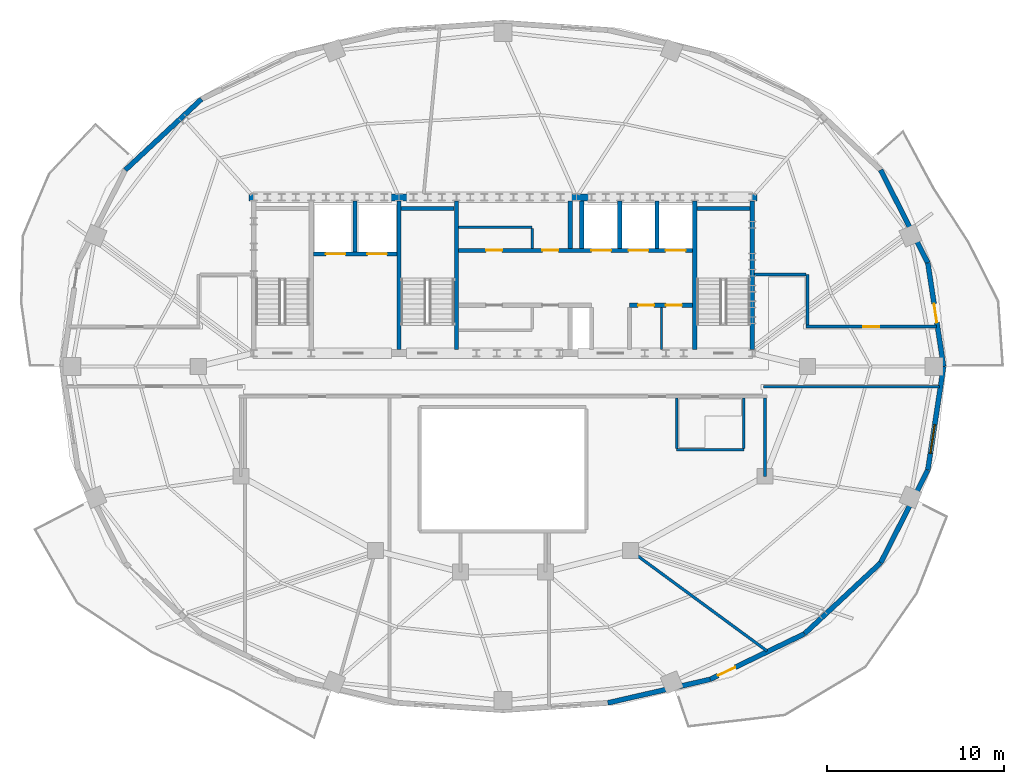
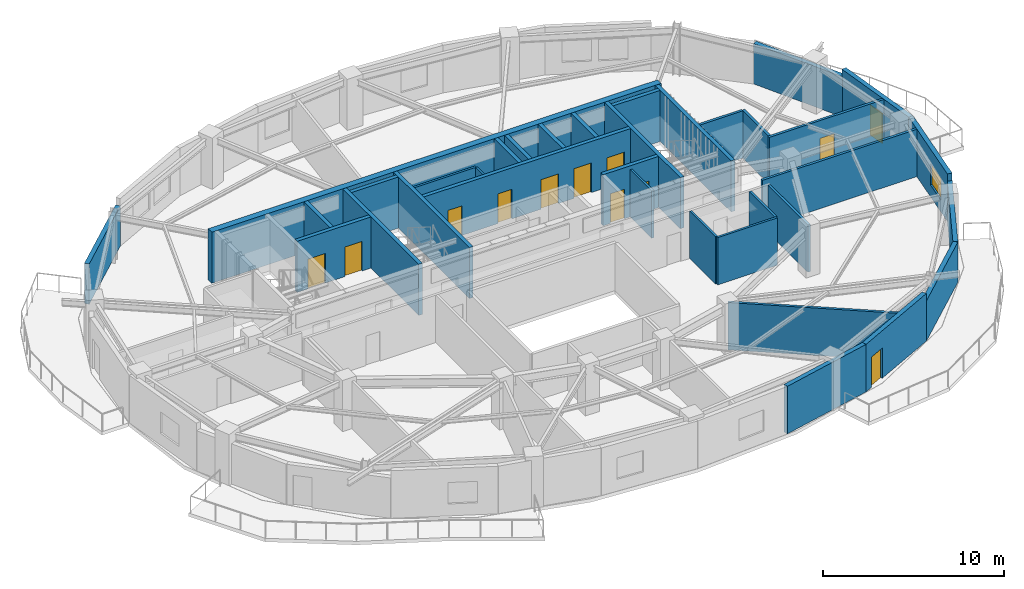
# One storey, part 5 of 10: 35 walls, 12 doors, 1 window, 13 openings.
"""IFC4 building model written with IfcOpenShell, lengths in metres."""

from ifc_helpers import new_model, si_unit, direction, frame, frame_2d, origin, place, context, subcontext, project, spatial, rectangle, extrude, material, layer, layer_set, type_object, element, fill, save


model = new_model("IFC4")

# Units and contexts
model_context = context("Model", 3, precision=1e-05, world=origin(), true_north=direction((0.0, 1.0)))
body_context = subcontext(model_context, "Body", "Model", "MODEL_VIEW")
ifc_project = project(units=[si_unit("LENGTHUNIT", "METRE"), si_unit("AREAUNIT", "SQUARE_METRE"), si_unit("VOLUMEUNIT", "CUBIC_METRE"), si_unit("PLANEANGLEUNIT", "RADIAN"), si_unit("MASSUNIT", "GRAM", prefix="KILO")], contexts=[model_context])

# Site, building, storey
site_placement = place(None, origin())
site = spatial("IfcSite", under=ifc_project, at=site_placement, CompositionType="ELEMENT")
building_placement = place(site_placement, origin())
building = spatial("IfcBuilding", under=site, at=building_placement, Name="Haldorwick Loom Tower", CompositionType="ELEMENT")
storey_placement = place(building_placement, frame((0.0, 0.0, 262.64990234375)))
storey = spatial("IfcBuildingStorey", under=building, at=storey_placement, Name="L71", CompositionType="ELEMENT", Elevation=262.64990234375)

# Wall, opening, door
ifc_material_1 = material(Name="Pressed Clay Face Brick and Insulated Masonry Backup Assembly", Category="masonry")
ifc_layer_1 = layer(ifc_material_1, 0.280029296875, Name="Pressed Clay Face Brick and Insulated Masonry Backup Assembly", Category="masonry")
ifc_layer_set_1 = layer_set([ifc_layer_1], Name="Pressed Clay Face Brick and Insulated Masonry Backup Assembly")
wall_type_1 = type_object("IfcWallType", Name="ARC-WL-EXT280", PredefinedType="STANDARD", material=ifc_layer_set_1)
wall_1_placement = place(storey_placement, frame((60.876708984375, 26.0, 0.0), z_axis=(0.0, 0.0, 1.0), x_axis=(-0.150497234153, 0.988610430105, 0.0)))
wall_1 = element("IfcWall", 1, at=wall_1_placement, inside=storey, type_object=wall_type_1, Name="L71 Brick Pier and Spandrel Wall 1", PredefinedType="STANDARD", context=body_context, shape_type="SweptSolid", body=[
    extrude(rectangle(XDim=5.916259765625, YDim=0.280029296875, at=frame_2d((2.9580078125, 0.0))), origin(), (0.0, 0.0, 1.0), 3.210205078125),
])
opening_1_placement = place(wall_1_placement, frame((2.508544921875, 0.0, 0.0)))
opening_1 = element("IfcOpeningElement", 2, at=opening_1_placement, cuts=wall_1, Name="Opening D-BL11", PredefinedType="OPENING", context=body_context, shape_type="SweptSolid", body=[
    extrude(rectangle(XDim=1.080078125, YDim=2.0400390625, at=frame_2d((0.5400390625, 1.02001953125))), frame((0.0, 0.14990234375, 0.0), z_axis=(0.0, -1.0, 0.0), x_axis=(1.0, 0.0, 0.0)), (0.0, 0.0, 1.0), 0.300048828125),
])
ifc_material_2 = material(Name="Thermally Broken Anodized Aluminium Curtain Wall Framing", Category="aluminium")
door_type_1 = type_object("IfcDoorType", Name="ARC-DR-BAL110", OperationType="NOTDEFINED", PredefinedType="DOOR", material=ifc_material_2)
door_1_placement = place(opening_1_placement, origin())
door_1 = element("IfcDoor", 3, at=door_1_placement, inside=storey, type_object=door_type_1, Name="L71 Outdoor Terrace Door SLB-L71-BAL_ENE", OperationType="SINGLE_SWING_RIGHT", OverallHeight=2.0400390625, OverallWidth=1.080078125, PredefinedType="DOOR", context=body_context, shape_type="SweptSolid", body=[
    extrude(rectangle(XDim=1.080078125, YDim=2.0400390625, at=frame_2d((0.5400390625, 1.02001953125))), frame((0.0, 0.02490234375, 0.0), z_axis=(0.0, -1.0, 0.0), x_axis=(1.0, 0.0, 0.0)), (0.0, 0.0, 1.0), 0.050048828125),
])
fill(opening_1, door_1)

# Walls
wall_2_placement = place(storey_placement, frame((59.986328125, 31.848876953125, 0.0), z_axis=(0.0, 0.0, 1.0), x_axis=(-0.453100705059, 0.89145933787, 0.0)))
element("IfcWall", 4, at=wall_2_placement, inside=storey, type_object=wall_type_1, Name="L71 Brick Pier and Spandrel Wall 2", PredefinedType="STANDARD", context=body_context, shape_type="SweptSolid", body=[
    extrude(rectangle(XDim=5.879150390625, YDim=0.280029296875, at=frame_2d((2.939453125, 0.0))), origin(), (0.0, 0.0, 1.0), 2.718994140625),
])
wall_3_placement = place(storey_placement, frame((18.98046875, 41.095703125, 0.0), z_axis=(0.0, 0.0, 1.0), x_axis=(-0.731924682982, -0.68138554317, 0.0)))
element("IfcWall", 5, at=wall_3_placement, inside=storey, type_object=wall_type_1, Name="L71 Brick Pier and Spandrel Wall 10", PredefinedType="STANDARD", context=body_context, shape_type="SweptSolid", body=[
    extrude(rectangle(XDim=5.87890625, YDim=0.280029296875, at=frame_2d((2.939453125, 0.0))), origin(), (0.0, 0.0, 1.0), 2.718994140625),
])
wall_4_placement = place(storey_placement, frame((41.91943359375, 7.006103515625, 0.0), z_axis=(0.0, 0.0, 1.0), x_axis=(0.974589984037, 0.223996345987, 0.0)))
element("IfcWall", 6, at=wall_4_placement, inside=storey, type_object=wall_type_1, Name="L71 Brick Pier and Spandrel Wall 20", PredefinedType="STANDARD", context=body_context, shape_type="SweptSolid", body=[
    extrude(rectangle(XDim=5.92919921875, YDim=0.280029296875, at=frame_2d((2.964599609375, 0.0))), origin(), (0.0, 0.0, 1.0), 3.210205078125),
])

# Wall, opening, door
wall_5_placement = place(storey_placement, frame((47.697998046875, 8.334228515625, 0.0), z_axis=(0.0, 0.0, 1.0), x_axis=(0.900481907967, 0.434893473651, 0.0)))
wall_5 = element("IfcWall", 7, at=wall_5_placement, inside=storey, type_object=wall_type_1, Name="L71 Brick Pier and Spandrel Wall 21", PredefinedType="STANDARD", context=body_context, shape_type="SweptSolid", body=[
    extrude(rectangle(XDim=5.90966796875, YDim=0.280029296875, at=frame_2d((2.954833984375, 0.0))), origin(), (0.0, 0.0, 1.0), 3.210205078125),
])
opening_2_placement = place(wall_5_placement, frame((0.495849609375, 0.0, 0.0)))
opening_2 = element("IfcOpeningElement", 8, at=opening_2_placement, cuts=wall_5, Name="Opening D-BL11", PredefinedType="OPENING", context=body_context, shape_type="SweptSolid", body=[
    extrude(rectangle(XDim=1.080078125, YDim=2.0400390625, at=frame_2d((0.5400390625, 1.02001953125))), frame((0.0, 0.14990234375, 0.0), z_axis=(0.0, -1.0, 0.0), x_axis=(1.0, 0.0, 0.0)), (0.0, 0.0, 1.0), 0.300048828125),
])
door_2_placement = place(opening_2_placement, origin())
door_2 = element("IfcDoor", 9, at=door_2_placement, inside=storey, type_object=door_type_1, Name="L71 Outdoor Terrace Door SLB-L71-BAL_SE", OperationType="SINGLE_SWING_RIGHT", OverallHeight=2.0400390625, OverallWidth=1.080078125, PredefinedType="DOOR", context=body_context, shape_type="SweptSolid", body=[
    extrude(rectangle(XDim=1.080078125, YDim=2.0400390625, at=frame_2d((0.5400390625, 1.02001953125))), frame((0.0, 0.02490234375, 0.0), z_axis=(0.0, -1.0, 0.0), x_axis=(1.0, 0.0, 0.0)), (0.0, 0.0, 1.0), 0.050048828125),
])
fill(opening_2, door_2)

# Walls
wall_6_placement = place(storey_placement, frame((53.01953125, 10.904296875, 0.0), z_axis=(0.0, 0.0, 1.0), x_axis=(0.731924682982, 0.68138554317, 0.0)))
element("IfcWall", 10, at=wall_6_placement, inside=storey, type_object=wall_type_1, Name="L71 Brick Pier and Spandrel Wall 22", PredefinedType="STANDARD", context=body_context, shape_type="SweptSolid", body=[
    extrude(rectangle(XDim=5.87890625, YDim=0.280029296875, at=frame_2d((2.939453125, 0.0))), origin(), (0.0, 0.0, 1.0), 2.718994140625),
])
wall_7_placement = place(storey_placement, frame((57.322509765625, 14.91015625, 0.0), z_axis=(0.0, 0.0, 1.0), x_axis=(0.453100705059, 0.89145933787, 0.0)))
element("IfcWall", 11, at=wall_7_placement, inside=storey, type_object=wall_type_1, Name="L71 Brick Pier and Spandrel Wall 23", PredefinedType="STANDARD", context=body_context, shape_type="SweptSolid", body=[
    extrude(rectangle(XDim=5.879150390625, YDim=0.280029296875, at=frame_2d((2.939453125, 0.0))), origin(), (0.0, 0.0, 1.0), 2.718994140625),
])

# Wall, opening, window
wall_8_placement = place(storey_placement, frame((59.986328125, 20.151123046875, 0.0), z_axis=(0.0, 0.0, 1.0), x_axis=(0.150497234153, 0.988610430105, 0.0)))
wall_8 = element("IfcWall", 12, at=wall_8_placement, inside=storey, type_object=wall_type_1, Name="L71 Brick Pier and Spandrel Wall 24", PredefinedType="STANDARD", context=body_context, shape_type="SweptSolid", body=[
    extrude(rectangle(XDim=5.916259765625, YDim=0.280029296875, at=frame_2d((2.9580078125, 0.0))), origin(), (0.0, 0.0, 1.0), 3.210205078125),
])
opening_3_placement = place(wall_8_placement, frame((0.949951171875, 0.0, 0.800048828125)))
opening_3 = element("IfcOpeningElement", 13, at=opening_3_placement, cuts=wall_8, Name="Opening W-01B", PredefinedType="OPENING", context=body_context, shape_type="SweptSolid", body=[
    extrude(rectangle(XDim=1.64990234375, YDim=1.449951171875, at=frame_2d((0.824951171875, 0.72509765625))), frame((0.0, 0.14990234375, 0.0), z_axis=(0.0, -1.0, 0.0), x_axis=(1.0, 0.0, 0.0)), (0.0, 0.0, 1.0), 0.300048828125),
])
ifc_material_3 = material(Name="Triple-Glazed Low-E Argon Insulated Glazing Unit", Category="glass")
window_type = type_object("IfcWindowType", Name="ARC-WIN-W165", PartitioningType="SINGLE_PANEL", PredefinedType="WINDOW", material=ifc_material_3)
window_placement = place(opening_3_placement, origin())
window = element("IfcWindow", 14, at=window_placement, inside=storey, type_object=window_type, Name="L71 Deep-Set Zone 7A Window 24", OverallHeight=1.449951171875, OverallWidth=1.64990234375, PartitioningType="SINGLE_PANEL", PredefinedType="WINDOW", context=body_context, shape_type="SweptSolid", body=[
    extrude(rectangle(XDim=1.64990234375, YDim=1.449951171875, at=frame_2d((0.824951171875, 0.72509765625))), frame((0.0, 0.030029296875, 0.0), z_axis=(0.0, -1.0, 0.0), x_axis=(1.0, 0.0, 0.0)), (0.0, 0.0, 1.0), 0.06005859375),
])
fill(opening_3, window)

# Wall
ifc_material_4 = material(Name="Fire-Rated Type X Gypsum Stud Assembly EI 60")
ifc_layer_2 = layer(ifc_material_4, 0.159912109375, Name="Fire-Rated Type X Gypsum Stud Assembly EI 60")
ifc_layer_set_2 = layer_set([ifc_layer_2], Name="Fire-Rated Type X Gypsum Stud Assembly EI 60")
wall_type_2 = type_object("IfcWallType", Name="ARC-WL-FIRE160", PredefinedType="PARTITIONING", material=ifc_layer_set_2)
wall_9_placement = place(storey_placement, frame((50.699951171875, 24.85009765625, 0.0), z_axis=(0.0, 0.0, 1.0), x_axis=(1.0, 0.0, 0.0)))
element("IfcWall", 15, at=wall_9_placement, inside=storey, type_object=wall_type_2, Name="L71 Residential Fire Partition L71-CR-SPE", PredefinedType="PARTITIONING", context=body_context, shape_type="SweptSolid", body=[
    extrude(rectangle(XDim=9.956298828125, YDim=0.159912109375, at=frame_2d((4.97802734375, 0.0))), origin(), (0.0, 0.0, 1.0), 3.195068359375),
])

# Wall, opening, door
wall_10_placement = place(storey_placement, frame((53.10009765625, 28.25, 0.0), z_axis=(0.0, 0.0, 1.0), x_axis=(1.0, 0.0, 0.0)))
wall_10 = element("IfcWall", 16, at=wall_10_placement, inside=storey, type_object=wall_type_2, Name="L71 Residential Fire Partition L71-CR-NEL", PredefinedType="PARTITIONING", context=body_context, shape_type="SweptSolid", body=[
    extrude(rectangle(XDim=7.388671875, YDim=0.159912109375, at=frame_2d((3.6943359375, 0.0))), origin(), (0.0, 0.0, 1.0), 3.195068359375),
])
opening_4_placement = place(wall_10_placement, frame((3.244384765625, 0.0, 0.0)))
opening_4 = element("IfcOpeningElement", 17, at=opening_4_placement, cuts=wall_10, Name="Opening D-FD60A", PredefinedType="OPENING", context=body_context, shape_type="SweptSolid", body=[
    extrude(rectangle(XDim=0.89990234375, YDim=2.0, at=frame_2d((0.449951171875, 1.0))), frame((0.0, 0.08984375, 0.0), z_axis=(0.0, -1.0, 0.0), x_axis=(1.0, 0.0, 0.0)), (0.0, 0.0, 1.0), 0.179931640625),
])
ifc_material_5 = material(Name="Hollow Steel Fire Door Assembly", Category="steel")
door_type_2 = type_object("IfcDoorType", Name="ARC-DR-FD60-90", OperationType="NOTDEFINED", PredefinedType="DOOR", material=ifc_material_5)
door_3_placement = place(opening_4_placement, frame((0.89990234375, 0.0, 0.0), z_axis=(0.0, 0.0, 1.0), x_axis=(-1.0, 0.0, 0.0)))
door_3 = element("IfcDoor", 18, at=door_3_placement, inside=storey, type_object=door_type_2, Name="L71 Community Library Hall 4 to L71 Central Residential Corridor Door", OperationType="SINGLE_SWING_RIGHT", OverallHeight=2.0, OverallWidth=0.89990234375, PredefinedType="DOOR", context=body_context, shape_type="SweptSolid", body=[
    extrude(rectangle(XDim=0.89990234375, YDim=2.0, at=frame_2d((0.449951171875, 1.0))), frame((0.0, 0.02490234375, 0.0), z_axis=(0.0, -1.0, 0.0), x_axis=(1.0, 0.0, 0.0)), (0.0, 0.0, 1.0), 0.050048828125),
])
fill(opening_4, door_3)

# Walls
wall_11_placement = place(storey_placement, frame((53.199951171875, 28.3330078125, 0.0), z_axis=(0.0, 0.0, 1.0), x_axis=(0.0, 1.0, 0.0)))
element("IfcWall", 19, at=wall_11_placement, inside=storey, type_object=wall_type_2, Name="L71 Residential Fire Partition L71-CR-E0", PredefinedType="PARTITIONING", context=body_context, shape_type="SweptSolid", body=[
    extrude(rectangle(XDim=2.866943359375, YDim=0.159912109375, at=frame_2d((1.43359375, 0.0))), origin(), (0.0, 0.0, 1.0), 3.195068359375),
])
wall_12_placement = place(storey_placement, frame((50.193115234375, 31.199951171875, 0.0), z_axis=(0.0, 0.0, 1.0), x_axis=(1.0, 0.0, 0.0)))
element("IfcWall", 20, at=wall_12_placement, inside=storey, type_object=wall_type_2, Name="L71 Residential Fire Partition L71-CR-ENJ", PredefinedType="PARTITIONING", context=body_context, shape_type="SweptSolid", body=[
    extrude(rectangle(XDim=2.923828125, YDim=0.159912109375, at=frame_2d((1.4619140625, 0.0))), origin(), (0.0, 0.0, 1.0), 3.195068359375),
])
wall_13_placement = place(storey_placement, frame((43.199951171875, 15.60009765625, 0.0), z_axis=(0.0, 0.0, 1.0), x_axis=(0.805865163957, -0.592099094341, 0.0)))
element("IfcWall", 21, at=wall_13_placement, inside=storey, type_object=wall_type_2, Name="L71 Residential Fire Partition L71-ICR-03", PredefinedType="PARTITIONING", context=body_context, shape_type="SweptSolid", body=[
    extrude(rectangle(XDim=9.5673828125, YDim=0.159912109375, at=frame_2d((4.78369140625, 0.0))), origin(), (0.0, 0.0, 1.0), 3.195068359375),
])
wall_14_placement = place(storey_placement, frame((50.800048828125, 24.217041015625, 0.0), z_axis=(0.0, 0.0, 1.0), x_axis=(0.0, -1.0, 0.0)))
element("IfcWall", 22, at=wall_14_placement, inside=storey, type_object=wall_type_2, Name="L71 Residential Fire Partition L71-ICA-01", PredefinedType="PARTITIONING", context=body_context, shape_type="SweptSolid", body=[
    extrude(rectangle(XDim=4.4169921875, YDim=0.159912109375, at=frame_2d((2.20849609375, 0.0))), origin(), (0.0, 0.0, 1.0), 3.195068359375),
])
ifc_layer_3 = layer(ifc_material_4, 0.139892578125, Name="Fire-Rated Type X Gypsum Stud Assembly EI 60")
ifc_layer_set_3 = layer_set([ifc_layer_3], Name="Fire-Rated Type X Gypsum Stud Assembly EI 60")
wall_type_3 = type_object("IfcWallType", Name="ARC-WL-PART140", PredefinedType="PARTITIONING", material=ifc_layer_set_3)
wall_15_placement = place(storey_placement, frame((33.492919921875, 33.85009765625, 0.0), z_axis=(0.0, 0.0, 1.0), x_axis=(1.0, 0.0, 0.0)))
element("IfcWall", 23, at=wall_15_placement, inside=storey, type_object=wall_type_3, Name="L71 Storage South Partition", PredefinedType="PARTITIONING", context=body_context, shape_type="SweptSolid", body=[
    extrude(rectangle(XDim=4.156982421875, YDim=0.139892578125, at=frame_2d((2.07861328125, 0.0))), origin(), (0.0, 0.0, 1.0), 3.195068359375),
])
wall_16_placement = place(storey_placement, frame((37.64990234375, 32.673095703125, 0.0), z_axis=(0.0, 0.0, 1.0), x_axis=(0.0, 1.0, 0.0)))
element("IfcWall", 24, at=wall_16_placement, inside=storey, type_object=wall_type_3, Name="L71 Storage East Partition", PredefinedType="PARTITIONING", context=body_context, shape_type="SweptSolid", body=[
    extrude(rectangle(XDim=1.10400390625, YDim=0.139892578125, at=frame_2d((0.552001953125, 0.0))), origin(), (0.0, 0.0, 1.0), 3.195068359375),
])
wall_17_placement = place(storey_placement, frame((44.949951171875, 26.952880859375, 0.0), z_axis=(0.0, 0.0, 1.0), x_axis=(0.0, 1.0, 0.0)))
element("IfcWall", 25, at=wall_17_placement, inside=storey, type_object=wall_type_3, Name="L71 Service Partition", PredefinedType="PARTITIONING", context=body_context, shape_type="SweptSolid", body=[
    extrude(rectangle(XDim=2.3740234375, YDim=0.139892578125, at=frame_2d((1.18701171875, 0.0))), origin(), (0.0, 0.0, 1.0), 3.195068359375),
])
wall_18_placement = place(storey_placement, frame((45.800048828125, 21.300048828125, 0.0), z_axis=(0.0, 0.0, 1.0), x_axis=(1.0, 0.0, 0.0)))
element("IfcWall", 26, at=wall_18_placement, inside=storey, type_object=wall_type_3, Name="L71 Residential Fire Partition L71-CWC-S", PredefinedType="PARTITIONING", context=body_context, shape_type="SweptSolid", body=[
    extrude(rectangle(XDim=3.800048828125, YDim=0.139892578125, at=frame_2d((1.89990234375, 0.0))), origin(), (0.0, 0.0, 1.0), 3.195068359375),
])
for number, where, z_axis, x_axis, name in (
    (27, (45.800048828125, 21.373046875, 0.0), (0.0, 0.0, 1.0), (0.0, 1.0, 0.0), "L71 Residential Fire Partition L71-CWC-W"),
    (28, (49.60009765625, 21.373046875, 0.0), (0.0, 0.0, 1.0), (0.0, 1.0, 0.0), "L71 Residential Fire Partition L71-CWC-E"),
):
    element("IfcWall", number, at=place(storey_placement, frame(where, z_axis=z_axis, x_axis=x_axis)), inside=storey, type_object=wall_type_3, Name=name, PredefinedType="PARTITIONING", context=body_context, shape_type="SweptSolid", body=[
        extrude(rectangle(XDim=2.843994140625, YDim=0.139892578125, at=frame_2d((1.421875, 0.0))), origin(), (0.0, 0.0, 1.0), 3.195068359375),
    ])
ifc_material_6 = material(Name="Concrete C50 (50 MPa)", Category="concrete")
ifc_layer_4 = layer(ifc_material_6, 0.39990234375, Name="Concrete C50 (50 MPa)", Category="concrete")
ifc_layer_set_4 = layer_set([ifc_layer_4], Name="Concrete C50 (50 MPa)")
wall_type_4 = type_object("IfcWallType", Name="STR-WL-CORE400", PredefinedType="SHEAR", material=ifc_layer_set_4)
wall_19_placement = place(storey_placement, frame((50.35009765625, 35.550048828125, 0.0), z_axis=(0.0, 0.0, 1.0), x_axis=(-1.0, 0.0, 0.0)))
element("IfcWall", 29, at=wall_19_placement, inside=storey, type_object=wall_type_4, Name="L71 Core Shear Wall N", PredefinedType="SHEAR", context=body_context, shape_type="SweptSolid", body=[
    extrude(rectangle(XDim=28.7001953125, YDim=0.39990234375, at=frame_2d((14.35009765625, 0.0))), origin(), (0.0, 0.0, 1.0), 3.4501953125),
])
ifc_layer_5 = layer(ifc_material_6, 0.239990234375, Name="Concrete C50 (50 MPa)", Category="concrete")
ifc_layer_set_5 = layer_set([ifc_layer_5], Name="Concrete C50 (50 MPa)")
wall_type_5 = type_object("IfcWallType", Name="STR-WL-SHAFT240", PredefinedType="SHEAR", material=ifc_layer_set_5)
for number, where, z_axis, x_axis, name in (
    (30, (50.070068359375, 26.952880859375, 0.0), (0.0, 0.0, 1.0), (0.0, 1.0, 0.0), "L71 Core Shear Wall E"),
    (31, (30.1298828125, 26.952880859375, 0.0), (0.0, 0.0, 1.0), (0.0, 1.0, 0.0), "L71 Core Shear Wall 2"),
    (32, (33.3701171875, 26.952880859375, 0.0), (0.0, 0.0, 1.0), (0.0, 1.0, 0.0), "L71 Core Shear Wall 3"),
):
    element("IfcWall", number, at=place(storey_placement, frame(where, z_axis=z_axis, x_axis=x_axis)), inside=storey, type_object=wall_type_5, Name=name, PredefinedType="SHEAR", context=body_context, shape_type="SweptSolid", body=[
        extrude(rectangle(XDim=8.39404296875, YDim=0.239990234375, at=frame_2d((4.197021484375, 0.0))), origin(), (0.0, 0.0, 1.0), 3.4501953125),
    ])
wall_20_placement = place(storey_placement, frame((30.2529296875, 34.919921875, 0.0), z_axis=(0.0, 0.0, 1.0), x_axis=(1.0, 0.0, 0.0)))
element("IfcWall", 33, at=wall_20_placement, inside=storey, type_object=wall_type_5, Name="L71 Core Shear Wall 3N", PredefinedType="SHEAR", context=body_context, shape_type="SweptSolid", body=[
    extrude(rectangle(XDim=2.994140625, YDim=0.239990234375, at=frame_2d((1.4970703125, 0.0))), origin(), (0.0, 0.0, 1.0), 3.4501953125),
])
wall_21_placement = place(storey_placement, frame((46.830078125, 26.952880859375, 0.0), z_axis=(0.0, 0.0, 1.0), x_axis=(0.0, 1.0, 0.0)))
element("IfcWall", 34, at=wall_21_placement, inside=storey, type_object=wall_type_5, Name="L71 Core Shear Wall 4", PredefinedType="SHEAR", context=body_context, shape_type="SweptSolid", body=[
    extrude(rectangle(XDim=8.39404296875, YDim=0.239990234375, at=frame_2d((4.197021484375, 0.0))), origin(), (0.0, 0.0, 1.0), 3.4501953125),
])
wall_22_placement = place(storey_placement, frame((46.952880859375, 34.919921875, 0.0), z_axis=(0.0, 0.0, 1.0), x_axis=(1.0, 0.0, 0.0)))
element("IfcWall", 35, at=wall_22_placement, inside=storey, type_object=wall_type_5, Name="L71 Core Shear Wall 4N", PredefinedType="SHEAR", context=body_context, shape_type="SweptSolid", body=[
    extrude(rectangle(XDim=2.994140625, YDim=0.239990234375, at=frame_2d((1.4970703125, 0.0))), origin(), (0.0, 0.0, 1.0), 3.4501953125),
])

# Wall, openings, doors
wall_23_placement = place(storey_placement, frame((25.29296875, 32.35009765625, 0.0), z_axis=(0.0, 0.0, 1.0), x_axis=(1.0, 0.0, 0.0)))
wall_23 = element("IfcWall", 36, at=wall_23_placement, inside=storey, type_object=wall_type_5, Name="L71 Core Shear Wall FF", PredefinedType="SHEAR", context=body_context, shape_type="SweptSolid", body=[
    extrude(rectangle(XDim=4.714111328125, YDim=0.239990234375, at=frame_2d((2.35693359375, 0.0))), origin(), (0.0, 0.0, 1.0), 3.4501953125),
])
opening_5_placement = place(wall_23_placement, frame((0.70703125, 0.0, 0.0)))
opening_5 = element("IfcOpeningElement", 37, at=opening_5_placement, cuts=wall_23, Name="Opening LD-FF1", PredefinedType="OPENING", context=body_context, shape_type="SweptSolid", body=[
    extrude(rectangle(XDim=1.10009765625, YDim=2.0, at=frame_2d((0.550048828125, 1.0))), frame((0.0, 0.1298828125, 0.0), z_axis=(0.0, -1.0, 0.0), x_axis=(1.0, 0.0, 0.0)), (0.0, 0.0, 1.0), 0.260009765625),
])
opening_6_placement = place(wall_23_placement, frame((3.056884765625, 0.0, 0.0)))
opening_6 = element("IfcOpeningElement", 38, at=opening_6_placement, cuts=wall_23, Name="Opening LD-FF2", PredefinedType="OPENING", context=body_context, shape_type="SweptSolid", body=[
    extrude(rectangle(XDim=1.10009765625, YDim=2.0, at=frame_2d((0.550048828125, 1.0))), frame((0.0, 0.1298828125, 0.0), z_axis=(0.0, -1.0, 0.0), x_axis=(1.0, 0.0, 0.0)), (0.0, 0.0, 1.0), 0.260009765625),
])
door_type_3 = type_object("IfcDoorType", Name="ARC-DR-LD-FF", OperationType="NOTDEFINED", PredefinedType="USERDEFINED", material=ifc_material_5)
door_4_placement = place(opening_5_placement, origin())
door_4 = element("IfcDoor", 39, at=door_4_placement, inside=storey, type_object=door_type_3, Name="L71 Lift LF-FF1 Sliding Landing Door", ObjectType="LANDING DOOR", OperationType="DOUBLE_DOOR_SLIDING", OverallHeight=2.0, OverallWidth=1.10009765625, PredefinedType="USERDEFINED", context=body_context, shape_type="SweptSolid", body=[
    extrude(rectangle(XDim=1.10009765625, YDim=2.0, at=frame_2d((0.550048828125, 1.0))), frame((0.0, 0.02490234375, 0.0), z_axis=(0.0, -1.0, 0.0), x_axis=(1.0, 0.0, 0.0)), (0.0, 0.0, 1.0), 0.050048828125),
])
fill(opening_5, door_4)
door_5_placement = place(opening_6_placement, origin())
door_5 = element("IfcDoor", 40, at=door_5_placement, inside=storey, type_object=door_type_3, Name="L71 Lift LF-FF2 Sliding Landing Door", ObjectType="LANDING DOOR", OperationType="DOUBLE_DOOR_SLIDING", OverallHeight=2.0, OverallWidth=1.10009765625, PredefinedType="USERDEFINED", context=body_context, shape_type="SweptSolid", body=[
    extrude(rectangle(XDim=1.10009765625, YDim=2.0, at=frame_2d((0.550048828125, 1.0))), frame((0.0, 0.02490234375, 0.0), z_axis=(0.0, -1.0, 0.0), x_axis=(1.0, 0.0, 0.0)), (0.0, 0.0, 1.0), 0.050048828125),
])
fill(opening_6, door_5)

# Wall
wall_24_placement = place(storey_placement, frame((27.64990234375, 32.472900390625, 0.0), z_axis=(0.0, 0.0, 1.0), x_axis=(0.0, 1.0, 0.0)))
element("IfcWall", 41, at=wall_24_placement, inside=storey, type_object=wall_type_5, Name="L71 Core Shear Wall FFD", PredefinedType="SHEAR", context=body_context, shape_type="SweptSolid", body=[
    extrude(rectangle(XDim=2.8740234375, YDim=0.239990234375, at=frame_2d((1.43701171875, 0.0))), origin(), (0.0, 0.0, 1.0), 3.4501953125),
])

# Wall, openings, doors
wall_25_placement = place(storey_placement, frame((33.492919921875, 32.550048828125, 0.0), z_axis=(0.0, 0.0, 1.0), x_axis=(1.0, 0.0, 0.0)))
wall_25 = element("IfcWall", 42, at=wall_25_placement, inside=storey, type_object=wall_type_5, Name="L71 Core Shear Wall LN", PredefinedType="SHEAR", context=body_context, shape_type="SweptSolid", body=[
    extrude(rectangle(XDim=13.214111328125, YDim=0.239990234375, at=frame_2d((6.60693359375, 0.0))), origin(), (0.0, 0.0, 1.0), 3.4501953125),
])
opening_7_placement = place(wall_25_placement, frame((1.556884765625, 0.0, 0.0)))
opening_7 = element("IfcOpeningElement", 43, at=opening_7_placement, cuts=wall_25, Name="Opening D-FD60A", PredefinedType="OPENING", context=body_context, shape_type="SweptSolid", body=[
    extrude(rectangle(XDim=0.89990234375, YDim=2.0, at=frame_2d((0.449951171875, 1.0))), frame((0.0, 0.1298828125, 0.0), z_axis=(0.0, -1.0, 0.0), x_axis=(1.0, 0.0, 0.0)), (0.0, 0.0, 1.0), 0.260009765625),
])
opening_8_placement = place(wall_25_placement, frame((4.737060546875, 0.0, 0.0)))
opening_8 = element("IfcOpeningElement", 44, at=opening_8_placement, cuts=wall_25, Name="Opening D-FD60A", PredefinedType="OPENING", context=body_context, shape_type="SweptSolid", body=[
    extrude(rectangle(XDim=0.89990234375, YDim=2.0, at=frame_2d((0.449951171875, 1.0))), frame((0.0, 0.1298828125, 0.0), z_axis=(0.0, -1.0, 0.0), x_axis=(1.0, 0.0, 0.0)), (0.0, 0.0, 1.0), 0.260009765625),
])
opening_9_placement = place(wall_25_placement, frame((7.4970703125, 0.0, 0.0)))
opening_9 = element("IfcOpeningElement", 45, at=opening_9_placement, cuts=wall_25, Name="Opening LD-H1", PredefinedType="OPENING", context=body_context, shape_type="SweptSolid", body=[
    extrude(rectangle(XDim=1.1201171875, YDim=2.0, at=frame_2d((0.56005859375, 1.0))), frame((0.0, 0.1298828125, 0.0), z_axis=(0.0, -1.0, 0.0), x_axis=(1.0, 0.0, 0.0)), (0.0, 0.0, 1.0), 0.260009765625),
])
opening_10_placement = place(wall_25_placement, frame((9.596923828125, 0.0, 0.0)))
opening_10 = element("IfcOpeningElement", 46, at=opening_10_placement, cuts=wall_25, Name="Opening LD-H2", PredefinedType="OPENING", context=body_context, shape_type="SweptSolid", body=[
    extrude(rectangle(XDim=1.1201171875, YDim=2.0, at=frame_2d((0.56005859375, 1.0))), frame((0.0, 0.1298828125, 0.0), z_axis=(0.0, -1.0, 0.0), x_axis=(1.0, 0.0, 0.0)), (0.0, 0.0, 1.0), 0.260009765625),
])
opening_11_placement = place(wall_25_placement, frame((11.697021484375, 0.0, 0.0)))
opening_11 = element("IfcOpeningElement", 47, at=opening_11_placement, cuts=wall_25, Name="Opening LD-H3", PredefinedType="OPENING", context=body_context, shape_type="SweptSolid", body=[
    extrude(rectangle(XDim=1.1201171875, YDim=2.0, at=frame_2d((0.56005859375, 1.0))), frame((0.0, 0.1298828125, 0.0), z_axis=(0.0, -1.0, 0.0), x_axis=(1.0, 0.0, 0.0)), (0.0, 0.0, 1.0), 0.260009765625),
])
door_6_placement = place(opening_7_placement, frame((0.89990234375, 0.0, 0.0), z_axis=(0.0, 0.0, 1.0), x_axis=(-1.0, 0.0, 0.0)))
door_6 = element("IfcDoor", 48, at=door_6_placement, inside=storey, type_object=door_type_2, Name="L71 Resident Storage Door", OperationType="SINGLE_SWING_LEFT", OverallHeight=2.0, OverallWidth=0.89990234375, PredefinedType="DOOR", context=body_context, shape_type="SweptSolid", body=[
    extrude(rectangle(XDim=0.89990234375, YDim=2.0, at=frame_2d((0.449951171875, 1.0))), frame((0.0, 0.02490234375, 0.0), z_axis=(0.0, -1.0, 0.0), x_axis=(1.0, 0.0, 0.0)), (0.0, 0.0, 1.0), 0.050048828125),
])
fill(opening_7, door_6)
door_7_placement = place(opening_8_placement, frame((0.89990234375, 0.0, 0.0), z_axis=(0.0, 0.0, 1.0), x_axis=(-1.0, 0.0, 0.0)))
door_7 = element("IfcDoor", 49, at=door_7_placement, inside=storey, type_object=door_type_2, Name="L71 Laundry Door", OperationType="SINGLE_SWING_RIGHT", OverallHeight=2.0, OverallWidth=0.89990234375, PredefinedType="DOOR", context=body_context, shape_type="SweptSolid", body=[
    extrude(rectangle(XDim=0.89990234375, YDim=2.0, at=frame_2d((0.449951171875, 1.0))), frame((0.0, 0.02490234375, 0.0), z_axis=(0.0, -1.0, 0.0), x_axis=(1.0, 0.0, 0.0)), (0.0, 0.0, 1.0), 0.050048828125),
])
fill(opening_8, door_7)
door_type_4 = type_object("IfcDoorType", Name="ARC-DR-LD-PAX", OperationType="NOTDEFINED", PredefinedType="USERDEFINED", material=ifc_material_5)
door_8_placement = place(opening_9_placement, origin())
door_8 = element("IfcDoor", 50, at=door_8_placement, inside=storey, type_object=door_type_4, Name="L71 Lift LF-H1 Sliding Landing Door", ObjectType="LANDING DOOR", OperationType="DOUBLE_DOOR_SLIDING", OverallHeight=2.0, OverallWidth=1.1201171875, PredefinedType="USERDEFINED", context=body_context, shape_type="SweptSolid", body=[
    extrude(rectangle(XDim=1.1201171875, YDim=2.0, at=frame_2d((0.56005859375, 1.0))), frame((0.0, 0.02490234375, 0.0), z_axis=(0.0, -1.0, 0.0), x_axis=(1.0, 0.0, 0.0)), (0.0, 0.0, 1.0), 0.050048828125),
])
fill(opening_9, door_8)
door_9_placement = place(opening_10_placement, origin())
door_9 = element("IfcDoor", 51, at=door_9_placement, inside=storey, type_object=door_type_4, Name="L71 Lift LF-H2 Sliding Landing Door", ObjectType="LANDING DOOR", OperationType="DOUBLE_DOOR_SLIDING", OverallHeight=2.0, OverallWidth=1.1201171875, PredefinedType="USERDEFINED", context=body_context, shape_type="SweptSolid", body=[
    extrude(rectangle(XDim=1.1201171875, YDim=2.0, at=frame_2d((0.56005859375, 1.0))), frame((0.0, 0.02490234375, 0.0), z_axis=(0.0, -1.0, 0.0), x_axis=(1.0, 0.0, 0.0)), (0.0, 0.0, 1.0), 0.050048828125),
])
fill(opening_10, door_9)
door_10_placement = place(opening_11_placement, origin())
door_10 = element("IfcDoor", 52, at=door_10_placement, inside=storey, type_object=door_type_4, Name="L71 Lift LF-H3 Sliding Landing Door", ObjectType="LANDING DOOR", OperationType="DOUBLE_DOOR_SLIDING", OverallHeight=2.0, OverallWidth=1.1201171875, PredefinedType="USERDEFINED", context=body_context, shape_type="SweptSolid", body=[
    extrude(rectangle(XDim=1.1201171875, YDim=2.0, at=frame_2d((0.56005859375, 1.0))), frame((0.0, 0.02490234375, 0.0), z_axis=(0.0, -1.0, 0.0), x_axis=(1.0, 0.0, 0.0)), (0.0, 0.0, 1.0), 0.050048828125),
])
fill(opening_11, door_10)

wall_26_placement = place(storey_placement, frame((43.14990234375, 29.449951171875, 0.0), z_axis=(0.0, 0.0, 1.0), x_axis=(1.0, 0.0, 0.0)))
wall_26 = element("IfcWall", 53, at=wall_26_placement, inside=storey, type_object=wall_type_5, Name="L71 Core Shear Wall LS2", PredefinedType="SHEAR", context=body_context, shape_type="SweptSolid", body=[
    extrude(rectangle(XDim=3.55712890625, YDim=0.239990234375, at=frame_2d((1.778564453125, 0.0))), origin(), (0.0, 0.0, 1.0), 3.4501953125),
])
opening_12_placement = place(wall_26_placement, frame((0.47998046875, 0.0, 0.0)))
opening_12 = element("IfcOpeningElement", 54, at=opening_12_placement, cuts=wall_26, Name="Opening D-FD60A", PredefinedType="OPENING", context=body_context, shape_type="SweptSolid", body=[
    extrude(rectangle(XDim=0.89990234375, YDim=2.0, at=frame_2d((0.449951171875, 1.0))), frame((0.0, 0.1298828125, 0.0), z_axis=(0.0, -1.0, 0.0), x_axis=(1.0, 0.0, 0.0)), (0.0, 0.0, 1.0), 0.260009765625),
])
opening_13_placement = place(wall_26_placement, frame((2.050048828125, 0.0, 0.0)))
opening_13 = element("IfcOpeningElement", 55, at=opening_13_placement, cuts=wall_26, Name="Opening D-FD60A", PredefinedType="OPENING", context=body_context, shape_type="SweptSolid", body=[
    extrude(rectangle(XDim=0.89990234375, YDim=2.0, at=frame_2d((0.449951171875, 1.0))), frame((0.0, 0.1298828125, 0.0), z_axis=(0.0, -1.0, 0.0), x_axis=(1.0, 0.0, 0.0)), (0.0, 0.0, 1.0), 0.260009765625),
])
door_11_placement = place(opening_12_placement, origin())
door_11 = element("IfcDoor", 56, at=door_11_placement, inside=storey, type_object=door_type_2, Name="L71 Electrical Room Door", OperationType="SINGLE_SWING_LEFT", OverallHeight=2.0, OverallWidth=0.89990234375, PredefinedType="DOOR", context=body_context, shape_type="SweptSolid", body=[
    extrude(rectangle(XDim=0.89990234375, YDim=2.0, at=frame_2d((0.449951171875, 1.0))), frame((0.0, 0.02490234375, 0.0), z_axis=(0.0, -1.0, 0.0), x_axis=(1.0, 0.0, 0.0)), (0.0, 0.0, 1.0), 0.050048828125),
])
fill(opening_12, door_11)
door_12_placement = place(opening_13_placement, origin())
door_12 = element("IfcDoor", 57, at=door_12_placement, inside=storey, type_object=door_type_2, Name="L71 Cleaner's Store Door", OperationType="SINGLE_SWING_LEFT", OverallHeight=2.0, OverallWidth=0.89990234375, PredefinedType="DOOR", context=body_context, shape_type="SweptSolid", body=[
    extrude(rectangle(XDim=0.89990234375, YDim=2.0, at=frame_2d((0.449951171875, 1.0))), frame((0.0, 0.02490234375, 0.0), z_axis=(0.0, -1.0, 0.0), x_axis=(1.0, 0.0, 0.0)), (0.0, 0.0, 1.0), 0.050048828125),
])
fill(opening_13, door_12)

# Walls
for number, where, z_axis, x_axis, name in (
    (58, (39.800048828125, 32.673095703125, 0.0), (0.0, 0.0, 1.0), (0.0, 1.0, 0.0), "L71 Core Shear Wall LHW"),
    (59, (40.449951171875, 32.673095703125, 0.0), (0.0, 0.0, 1.0), (0.0, 1.0, 0.0), "L71 Core Shear Wall H0"),
    (60, (42.60009765625, 32.673095703125, 0.0), (0.0, 0.0, 1.0), (0.0, 1.0, 0.0), "L71 Core Shear Wall H1"),
    (61, (44.699951171875, 32.673095703125, 0.0), (0.0, 0.0, 1.0), (0.0, 1.0, 0.0), "L71 Core Shear Wall H2"),
):
    element("IfcWall", number, at=place(storey_placement, frame(where, z_axis=z_axis, x_axis=x_axis)), inside=storey, type_object=wall_type_5, Name=name, PredefinedType="SHEAR", context=body_context, shape_type="SweptSolid", body=[
        extrude(rectangle(XDim=2.673828125, YDim=0.239990234375, at=frame_2d((1.3369140625, 0.0))), origin(), (0.0, 0.0, 1.0), 3.4501953125),
    ])

save(model, "model.ifc")
